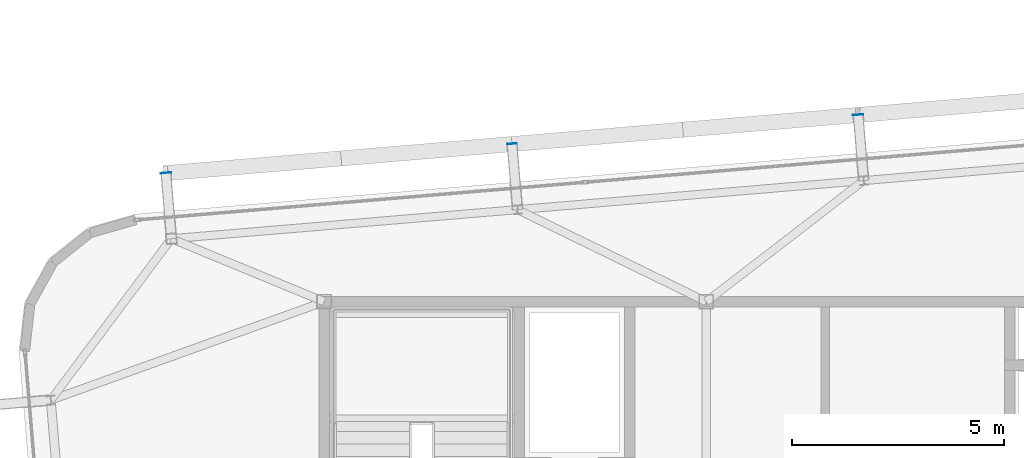
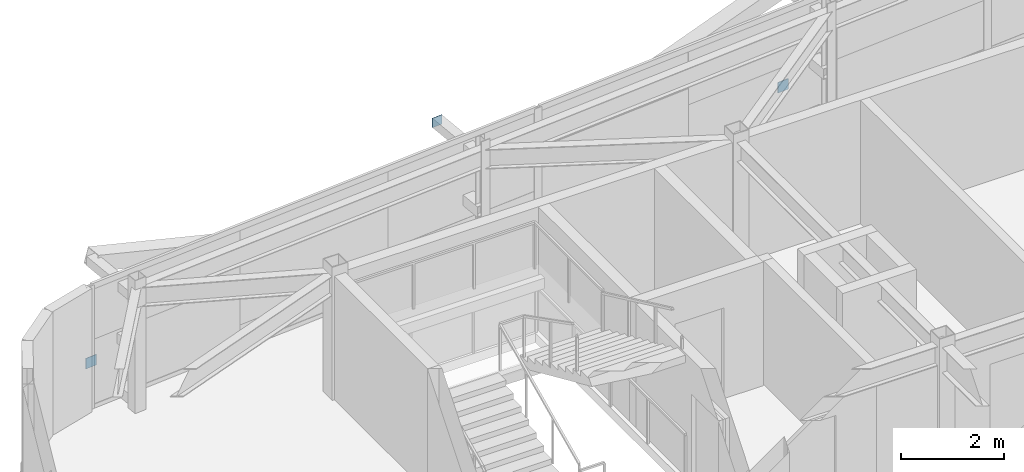
# One storey, part 32 of 39: 3 plates.
"""IFC4 building model written with IfcOpenShell, lengths in metres."""

from ifc_helpers import new_model, si_unit, direction, frame, origin, origin_2d, place, context, subcontext, project, spatial, rectangle, extrude, source, transform, mapped, material, layer, layer_set, type_object, element, save


model = new_model("IFC4")

# Units and contexts
model_context = context("Model", 3, precision=1e-05, world=origin(), true_north=direction((0.0, 1.0)))
body_context = subcontext(model_context, "Body", "Model", "MODEL_VIEW")
ifc_project = project(units=[si_unit("LENGTHUNIT", "METRE"), si_unit("AREAUNIT", "SQUARE_METRE"), si_unit("VOLUMEUNIT", "CUBIC_METRE"), si_unit("PLANEANGLEUNIT", "RADIAN"), si_unit("MASSUNIT", "GRAM", prefix="KILO")], contexts=[model_context])

# Site, building, storey
site_placement = place(None, origin())
site = spatial("IfcSite", under=ifc_project, at=site_placement, CompositionType="ELEMENT")
building_placement = place(site_placement, origin())
building = spatial("IfcBuilding", under=site, at=building_placement, Name="Taldren Reach Tower", CompositionType="ELEMENT")
storey_placement = place(building_placement, frame((0.0, 0.0, 175.699951171875)))
storey = spatial("IfcBuildingStorey", under=building, at=storey_placement, Name="L53", CompositionType="ELEMENT", Elevation=175.699951171875)

# Plates
ifc_material_1 = material(Name="Steel Gr 350 (C350L0)", Category="steel")
ifc_layer_1 = layer(ifc_material_1, 0.011962890625)
ifc_layer_set_1 = layer_set([ifc_layer_1], Name="Steel Gr 350 (C350L0)")
plate_type_1 = type_object("IfcPlateType", Name="PL-CAP-250", PredefinedType="SHEET", material=ifc_layer_set_1)
shared_shape_1 = source(origin(), body_context, "Body", "SweptSolid", [
    extrude(rectangle(XDim=0.25, YDim=0.011962890625, at=origin_2d()), origin(), (0.0, 0.0, 1.0), 0.25),
])
for number, where, z_axis, x_axis, name in (
    (1, (15.273681640625, 35.0341796875, 0.094970703125), (0.0, 0.0, 1.0), (0.99649285925, 0.083677843332, 0.0), "Tie strut end cap plate B4-N1 L53"),
    (2, (31.576171875, 36.403076171875, 0.094970703125), (0.0, 0.0, 1.0), (0.99649285925, 0.083677843332, 0.0), "Tie strut end cap plate B4-N3 L53"),
):
    element("IfcPlate", number, at=place(storey_placement, frame(where, z_axis=z_axis, x_axis=x_axis)), inside=storey, type_object=plate_type_1, Name=name, PredefinedType="SHEET", context=body_context, shape_type="MappedRepresentation", body=[
        mapped(shared_shape_1, transform((0.0, 0.0, 0.0), scale=1.0)),
    ])
ifc_material_2 = material(Name="Steel Gr 450 (C450L0)", Category="steel")
ifc_layer_2 = layer(ifc_material_2, 0.011962890625)
ifc_layer_set_2 = layer_set([ifc_layer_2], Name="Steel Gr 450 (C450L0)")
plate_type_2 = type_object("IfcPlateType", Name="PL-CAP-220", PredefinedType="SHEET", material=ifc_layer_set_2)
shared_shape_2 = source(origin(), body_context, "Body", "SweptSolid", [
    extrude(rectangle(XDim=0.219970703125, YDim=0.011962890625, at=origin_2d()), origin(), (0.0, 0.0, 1.0), 0.219970703125),
])
plate_placement = place(storey_placement, frame((23.4248046875, 35.718505859375, 2.5400390625), z_axis=(0.0, 0.0, 1.0), x_axis=(0.99649285925, 0.083677843332, 0.0)))
element("IfcPlate", 3, at=plate_placement, inside=storey, type_object=plate_type_2, Name="Tie strut end cap plate B4-N2 L53", PredefinedType="SHEET", context=body_context, shape_type="MappedRepresentation", body=[
    mapped(shared_shape_2, transform((0.0, 0.0, 0.0), scale=1.0)),
])

save(model, "model.ifc")
